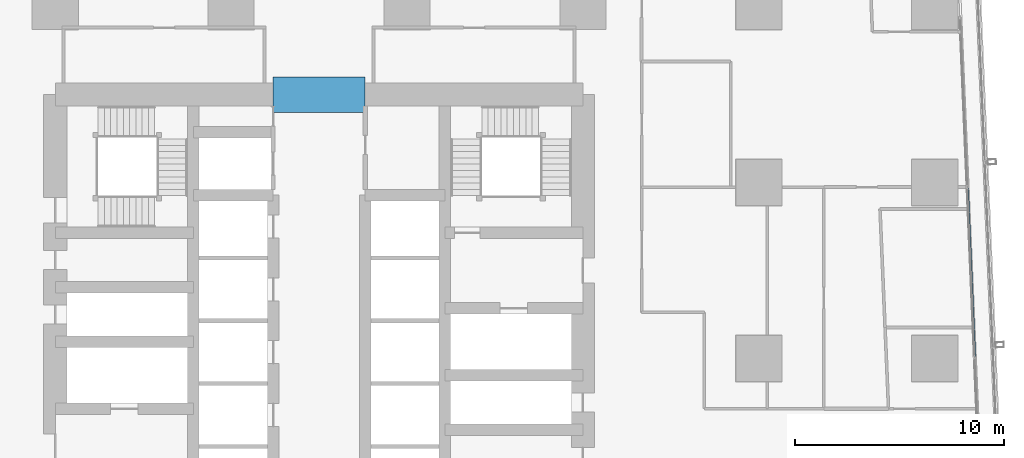
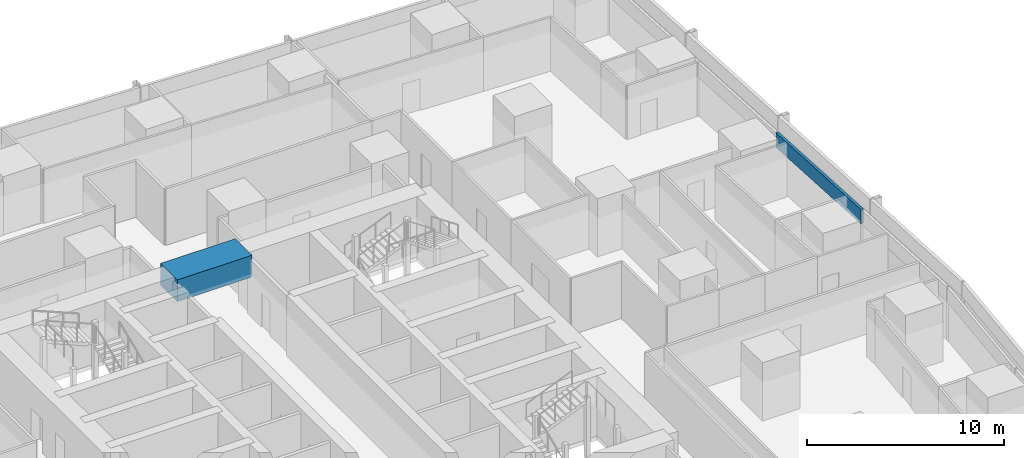
# One storey, part 19 of 45: 1 beam, 1 member, 1 element without a shape of its own.
"""IFC4 building model written with IfcOpenShell, lengths in metres."""

from ifc_helpers import new_model, si_unit, direction, frame, origin, origin_2d, place, context, subcontext, project, spatial, rectangle, hollow_rectangle, extrude, material, material_profile, profile_set, type_object, element, aggregate, save


model = new_model("IFC4")

# Units and contexts
model_context = context("Model", 3, precision=1e-05, world=origin(), true_north=direction((0.0, 1.0)))
body_context = subcontext(model_context, "Body", "Model", "MODEL_VIEW")
ifc_project = project(units=[si_unit("LENGTHUNIT", "METRE"), si_unit("AREAUNIT", "SQUARE_METRE"), si_unit("VOLUMEUNIT", "CUBIC_METRE"), si_unit("PLANEANGLEUNIT", "RADIAN"), si_unit("MASSUNIT", "GRAM", prefix="KILO")], contexts=[model_context])

# Site, building, storey
site_placement = place(None, origin())
site = spatial("IfcSite", under=ifc_project, at=site_placement, CompositionType="ELEMENT")
building_placement = place(site_placement, origin())
building = spatial("IfcBuilding", under=site, at=building_placement, Name="Rekha Terrace Tower", CompositionType="ELEMENT")
storey_placement = place(building_placement, frame((0.0, 0.0, 44.14990234375)))
storey = spatial("IfcBuildingStorey", under=building, at=storey_placement, Name="L10", CompositionType="ELEMENT", Elevation=44.14990234375)

# Curtain wall, member
ifc_material_1 = material(Name="Aluminium framing", Category="aluminium")
curtain_wall_type = type_object("IfcCurtainWallType", Name="CW1 double skin inner glazing", PredefinedType="USERDEFINED", material=ifc_material_1)
curtain_wall_placement = place(storey_placement, origin())
curtain_wall = element("IfcCurtainWall", 1, at=curtain_wall_placement, inside=storey, type_object=curtain_wall_type, Name="CW1 double skin inner glazing", ObjectType="DOUBLE SKIN INNER GLAZING", PredefinedType="USERDEFINED")
ifc_material_2 = material(Name="Insulated aluminium spandrel box", Category="aluminium")
ifc_material_profile_1 = material_profile(ifc_material_2, hollow_rectangle(XDim=0.14990234375, YDim=0.89990234375, WallThickness=0.0029296875, at=origin_2d()), Name="AL SPANDREL BOX 150x900")
ifc_profile_set_1 = profile_set([ifc_material_profile_1], Name="Insulated aluminium spandrel box")
member_type = type_object("IfcMemberType", Name="CW1 spandrel transom 150 x 900", PredefinedType="USERDEFINED", material=ifc_profile_set_1)
member_placement = place(storey_placement, frame((69.08935546875, 33.682861328125, 3.050048828125), z_axis=(-0.042698394831, 0.999088007674, 0.0), x_axis=(-0.999088007674, -0.042698394831, 0.0)))
member = element("IfcMember", 2, at=member_placement, type_object=member_type, Name="CW1 spandrel transom 2", ObjectType="TRANSOM", PredefinedType="USERDEFINED", context=body_context, shape_type="SweptSolid", body=[
    extrude(hollow_rectangle(XDim=0.14990234375, YDim=0.89990234375, WallThickness=0.0029296875, at=origin_2d()), origin(), (0.0, 0.0, 1.0), 8.073486328125),
])
aggregate(curtain_wall, [member])

# Beam
ifc_material_3 = material(Name="Concrete M70", Category="concrete")
ifc_material_profile_2 = material_profile(ifc_material_3, rectangle(XDim=1.699951171875, YDim=1.35009765625, at=origin_2d()), Name="RC 1700x1350")
ifc_profile_set_2 = profile_set([ifc_material_profile_2], Name="Concrete M70")
beam_type = type_object("IfcBeamType", Name="LB1A 1700x1350 diagonally reinforced coupling beam", PredefinedType="LINTEL", material=ifc_profile_set_2)
beam_placement = place(storey_placement, frame((35.60009765625, 46.199951171875, 3.0751953125), z_axis=(1.0, 0.0, 0.0), x_axis=(0.0, 1.0, 0.0)))
element("IfcBeam", 3, at=beam_placement, inside=storey, type_object=beam_type, Name="Coupling beam LB1A N L10", PredefinedType="LINTEL", context=body_context, shape_type="SweptSolid", body=[
    extrude(rectangle(XDim=1.699951171875, YDim=1.35009765625, at=origin_2d()), origin(), (0.0, 0.0, 1.0), 4.39990234375),
])

save(model, "model.ifc")
